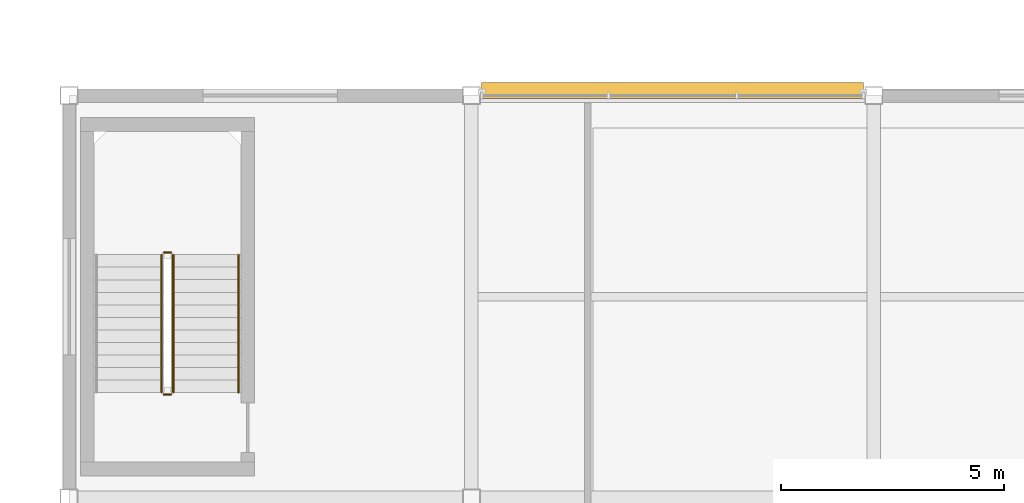
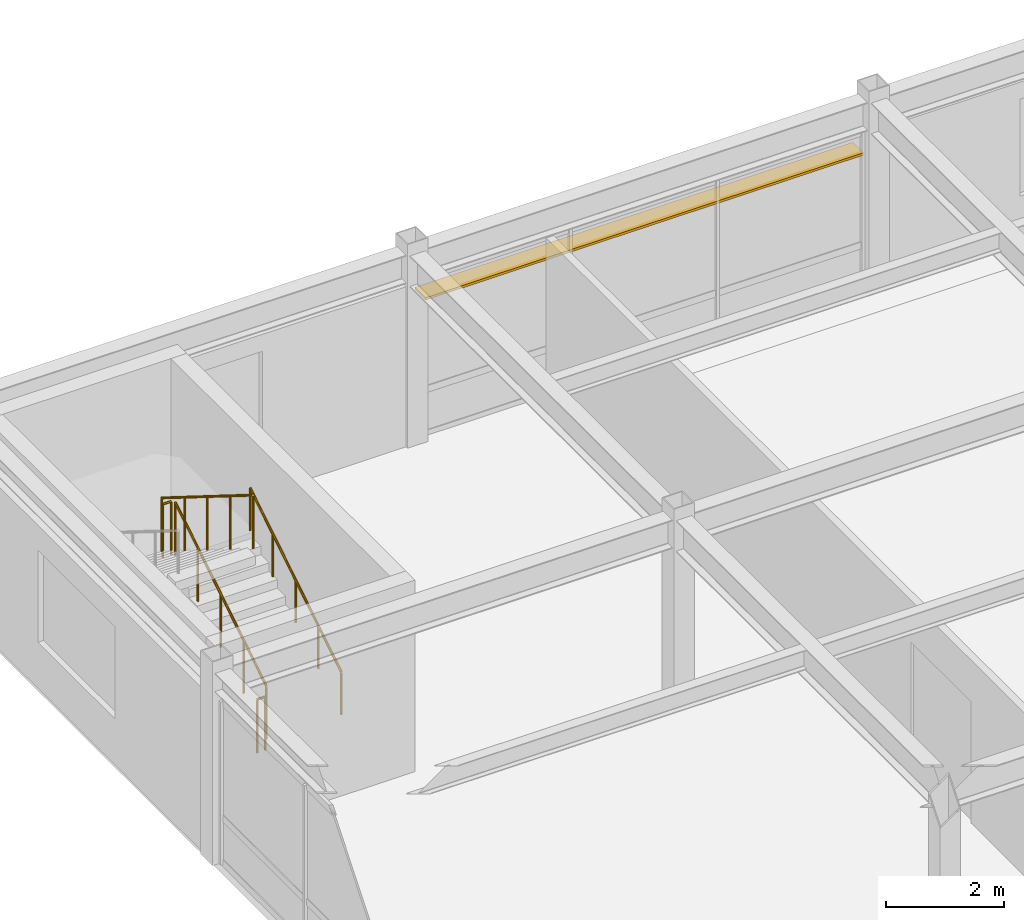
# One storey, part 69 of 70: 5 railings, 1 shading device.
"""IFC4 building model written with IfcOpenShell, lengths in metres."""

from ifc_helpers import new_model, si_unit, direction, frame, origin, origin_2d, place, context, subcontext, project, spatial, rectangle, circle, extrude, material, material_profile, profile_set, type_object, element, save


model = new_model("IFC4")

# Units and contexts
model_context = context("Model", 3, precision=1e-05, world=origin(), true_north=direction((0.0, 1.0)))
body_context = subcontext(model_context, "Body", "Model", "MODEL_VIEW")
ifc_project = project(units=[si_unit("LENGTHUNIT", "METRE"), si_unit("AREAUNIT", "SQUARE_METRE"), si_unit("VOLUMEUNIT", "CUBIC_METRE"), si_unit("PLANEANGLEUNIT", "RADIAN"), si_unit("MASSUNIT", "GRAM", prefix="KILO")], contexts=[model_context])

# Site, building, storey
site_placement = place(None, origin())
site = spatial("IfcSite", under=ifc_project, at=site_placement, CompositionType="ELEMENT")
building_placement = place(site_placement, origin())
building = spatial("IfcBuilding", under=site, at=building_placement, Name="Suzunagisa Mobility Hub", CompositionType="ELEMENT")
storey_placement = place(building_placement, frame((0.0, 0.0, 13.5)))
storey = spatial("IfcBuildingStorey", under=building, at=storey_placement, Name="L03", CompositionType="ELEMENT", Elevation=13.5)

# Railings
ifc_material_1 = material(Name="Stainless Steel SUS304", Category="metal")
railing_type_1 = type_object("IfcRailingType", Name="Interior Well Guardrail IGR-01", PredefinedType="GUARDRAIL", material=ifc_material_1)
railing_1_placement = place(storey_placement, frame((146.330078125, 91.360107421875, 0.175048828125)))
element("IfcRailing", 1, at=railing_1_placement, inside=storey, type_object=railing_type_1, Name="L03 ST-12 stair guard 1", PredefinedType="GUARDRAIL", context=body_context, shape_type="SweptSolid", body=[
    extrude(circle(Radius=0.02392578125, at=origin_2d()), frame((0.0, 0.0, 1.09619140625), z_axis=(0.0, 0.847979421464, 0.530029150871), x_axis=(-1.0, 0.0, 0.0)), (0.0, 0.0, 1.0), 3.632080078125),
    extrude(circle(Radius=0.02099609375, at=origin_2d()), origin(), (0.0, 0.0, 1.0), 1.072021484375),
    extrude(circle(Radius=0.02099609375, at=origin_2d()), frame((0.0, 0.77001953125, 0.481201171875)), (0.0, 0.0, 1.0), 1.072021484375),
    extrude(circle(Radius=0.02099609375, at=origin_2d()), frame((0.0, 1.5400390625, 0.96240234375)), (0.0, 0.0, 1.0), 1.072021484375),
    extrude(circle(Radius=0.02099609375, at=origin_2d()), frame((0.0, 2.309814453125, 1.44384765625)), (0.0, 0.0, 1.0), 1.072021484375),
    extrude(circle(Radius=0.02099609375, at=origin_2d()), frame((0.0, 3.079833984375, 1.925048828125)), (0.0, 0.0, 1.0), 1.072021484375),
])
railing_2_placement = place(storey_placement, frame((146.280029296875, 94.489990234375, 2.10009765625)))
element("IfcRailing", 2, at=railing_2_placement, inside=storey, type_object=railing_type_1, Name="L03 ST-12 stair guard 2", PredefinedType="GUARDRAIL", context=body_context, shape_type="SweptSolid", body=[
    extrude(circle(Radius=0.02392578125, at=origin_2d()), frame((0.0, 0.0, 1.09619140625), z_axis=(-1.0, 0.0, 0.0), x_axis=(0.0, -1.0, 0.0)), (0.0, 0.0, 1.0), 0.159912109375),
    extrude(circle(Radius=0.02099609375, at=origin_2d()), origin(), (0.0, 0.0, 1.0), 1.072021484375),
    extrude(circle(Radius=0.02099609375, at=origin_2d()), frame((-0.159912109375, 0.0, 0.0)), (0.0, 0.0, 1.0), 1.072021484375),
])
railing_3_placement = place(storey_placement, frame((146.070068359375, 94.43994140625, 2.27490234375)))
element("IfcRailing", 3, at=railing_3_placement, inside=storey, type_object=railing_type_1, Name="L03 ST-12 stair guard 3", PredefinedType="GUARDRAIL", context=body_context, shape_type="SweptSolid", body=[
    extrude(circle(Radius=0.02392578125, at=origin_2d()), frame((0.0, 0.0, 1.09619140625), z_axis=(0.0, -0.847979421464, 0.530029150871), x_axis=(1.0, 0.0, 0.0)), (0.0, 0.0, 1.0), 3.632080078125),
    extrude(circle(Radius=0.02099609375, at=origin_2d()), origin(), (0.0, 0.0, 1.0), 1.072021484375),
    extrude(circle(Radius=0.02099609375, at=origin_2d()), frame((0.0, -0.77001953125, 0.481201171875)), (0.0, 0.0, 1.0), 1.072021484375),
    extrude(circle(Radius=0.02099609375, at=origin_2d()), frame((0.0, -1.5400390625, 0.96240234375)), (0.0, 0.0, 1.0), 1.072021484375),
    extrude(circle(Radius=0.02099609375, at=origin_2d()), frame((0.0, -2.309814453125, 1.44384765625)), (0.0, 0.0, 1.0), 1.072021484375),
    extrude(circle(Radius=0.02099609375, at=origin_2d()), frame((0.0, -3.079833984375, 1.925048828125)), (0.0, 0.0, 1.0), 1.072021484375),
])
railing_4_placement = place(storey_placement, frame((146.280029296875, 91.31005859375, 0.0)))
element("IfcRailing", 4, at=railing_4_placement, inside=storey, type_object=railing_type_1, Name="L03 ST-12 stair guard 4", PredefinedType="GUARDRAIL", context=body_context, shape_type="SweptSolid", body=[
    extrude(circle(Radius=0.02392578125, at=origin_2d()), frame((0.0, 0.0, 1.09619140625), z_axis=(-1.0, 0.0, 0.0), x_axis=(0.0, -1.0, 0.0)), (0.0, 0.0, 1.0), 0.159912109375),
    extrude(circle(Radius=0.02099609375, at=origin_2d()), origin(), (0.0, 0.0, 1.0), 1.072021484375),
    extrude(circle(Radius=0.02099609375, at=origin_2d()), frame((-0.159912109375, 0.0, 0.0)), (0.0, 0.0, 1.0), 1.072021484375),
])

# Shading device
ifc_material_2 = material(Name="Fluoropolymer-Coated Extruded Aluminum 6063-T5", Category="aluminium")
ifc_material_profile = material_profile(ifc_material_2, rectangle(XDim=0.360107421875, YDim=0.050048828125, at=origin_2d()), Name="FIN-360x50")
ifc_profile_set = profile_set([ifc_material_profile], Name="Fluoropolymer-Coated Extruded Aluminum 6063-T5")
shading_device_type = type_object("IfcShadingDeviceType", Name="Streamline Aluminum Sunshade SF-01 FIN-360x50", PredefinedType="SHUTTER", material=ifc_profile_set)
shading_device_placement = place(storey_placement, frame((161.77001953125, 98.110107421875, 2.85009765625), z_axis=(-1.0, 0.0, 0.0), x_axis=(0.0, -1.0, 0.0)))
element("IfcShadingDevice", 5, at=shading_device_placement, inside=storey, type_object=shading_device_type, Name="L03 Streamline Speed-Rail Sunshade Fin SF-47", PredefinedType="SHUTTER", context=body_context, shape_type="SweptSolid", body=[
    extrude(rectangle(XDim=0.360107421875, YDim=0.050048828125, at=origin_2d()), origin(), (0.0, 0.0, 1.0), 8.5400390625),
])

# Railing
railing_type_2 = type_object("IfcRailingType", Name="Tubular Stainless Stair Handrail IHR-01", PredefinedType="HANDRAIL", material=ifc_material_1)
railing_5_placement = place(storey_placement, frame((147.7900390625, 91.360107421875, 0.175048828125)))
element("IfcRailing", 6, at=railing_5_placement, inside=storey, type_object=railing_type_2, Name="L03 ST-12 stair handrail 1", PredefinedType="HANDRAIL", context=body_context, shape_type="SweptSolid", body=[
    extrude(circle(Radius=0.02392578125, at=origin_2d()), frame((0.0, 0.0, 0.8759765625), z_axis=(0.0, 0.847979421464, 0.530029150871), x_axis=(-1.0, 0.0, 0.0)), (0.0, 0.0, 1.0), 3.632080078125),
    extrude(circle(Radius=0.02099609375, at=origin_2d()), origin(), (0.0, 0.0, 1.0), 0.851806640625),
    extrude(circle(Radius=0.02099609375, at=origin_2d()), frame((0.0, 0.77001953125, 0.481201171875)), (0.0, 0.0, 1.0), 0.851806640625),
    extrude(circle(Radius=0.02099609375, at=origin_2d()), frame((0.0, 1.5400390625, 0.96240234375)), (0.0, 0.0, 1.0), 0.851806640625),
    extrude(circle(Radius=0.02099609375, at=origin_2d()), frame((0.0, 2.309814453125, 1.44384765625)), (0.0, 0.0, 1.0), 0.851806640625),
    extrude(circle(Radius=0.02099609375, at=origin_2d()), frame((0.0, 3.079833984375, 1.925048828125)), (0.0, 0.0, 1.0), 0.851806640625),
])

save(model, "model.ifc")
